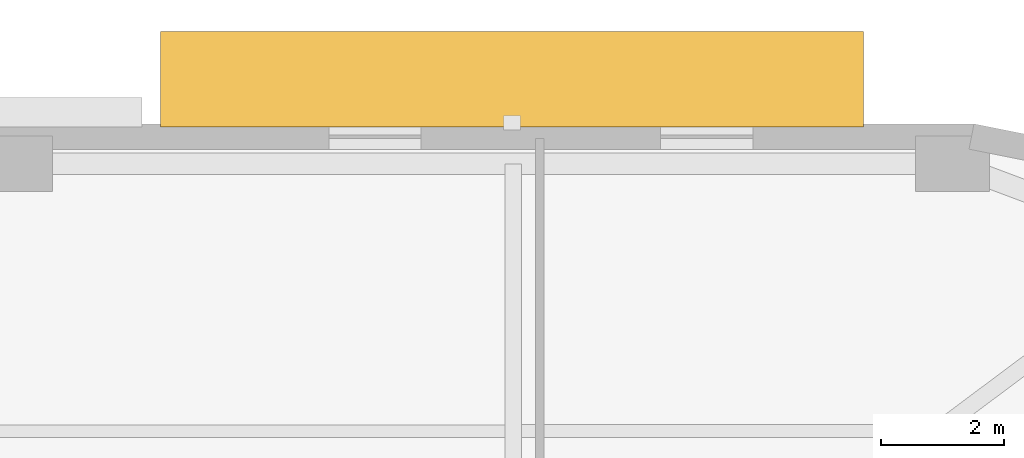
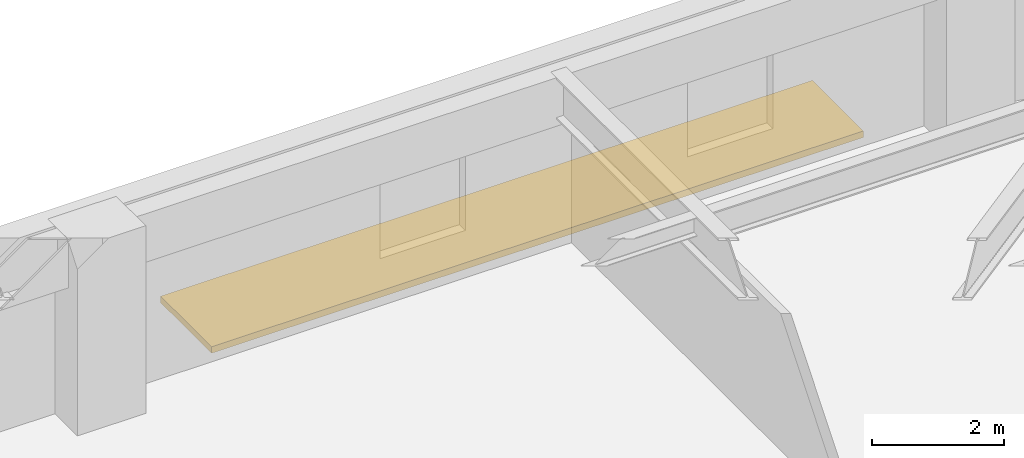
# One storey, part 15 of 15: 1 shading device.
"""IFC4 building model written with IfcOpenShell, lengths in metres."""

from ifc_helpers import new_model, si_unit, direction, frame, origin, origin_2d, place, context, subcontext, project, spatial, rectangle, extrude, material, type_object, element, save


model = new_model("IFC4")

# Units and contexts
model_context = context("Model", 3, precision=1e-05, world=origin(), true_north=direction((0.0, 1.0)))
body_context = subcontext(model_context, "Body", "Model", "MODEL_VIEW")
ifc_project = project(units=[si_unit("LENGTHUNIT", "METRE"), si_unit("AREAUNIT", "SQUARE_METRE"), si_unit("VOLUMEUNIT", "CUBIC_METRE"), si_unit("PLANEANGLEUNIT", "RADIAN"), si_unit("MASSUNIT", "GRAM", prefix="KILO")], contexts=[model_context])

# Site, building, storey
site_placement = place(None, origin())
site = spatial("IfcSite", under=ifc_project, at=site_placement, CompositionType="ELEMENT")
building_placement = place(site_placement, origin())
building = spatial("IfcBuilding", under=site, at=building_placement, Name="Kolvaren Arena Tower", CompositionType="ELEMENT")
storey_placement = place(building_placement, frame((0.0, 0.0, 45.75)))
storey = spatial("IfcBuildingStorey", under=building, at=storey_placement, Name="L08", CompositionType="ELEMENT", Elevation=45.75)

# Shading device
ifc_material = material(Name="Architectural precast GFRC and anodised aluminium sunshade", Category="concrete")
shading_device_type = type_object("IfcShadingDeviceType", Name="SHAD-SINE-B", PredefinedType="JALOUSIE", material=ifc_material)
shading_device_placement = place(storey_placement, frame((60.330078125, 50.22509765625, -0.14013671875), z_axis=(0.0, 0.0, 1.0), x_axis=(1.0, 0.0, 0.0)))
element("IfcShadingDevice", 1, at=shading_device_placement, inside=storey, type_object=shading_device_type, Name="Sinusoidal Slab-Edge Sunshade Louvre (L08)", PredefinedType="JALOUSIE", context=body_context, shape_type="SweptSolid", body=[
    extrude(rectangle(XDim=11.43994140625, YDim=1.55029296875, at=origin_2d()), origin(), (0.0, 0.0, 1.0), 0.1201171875),
])

save(model, "model.ifc")
